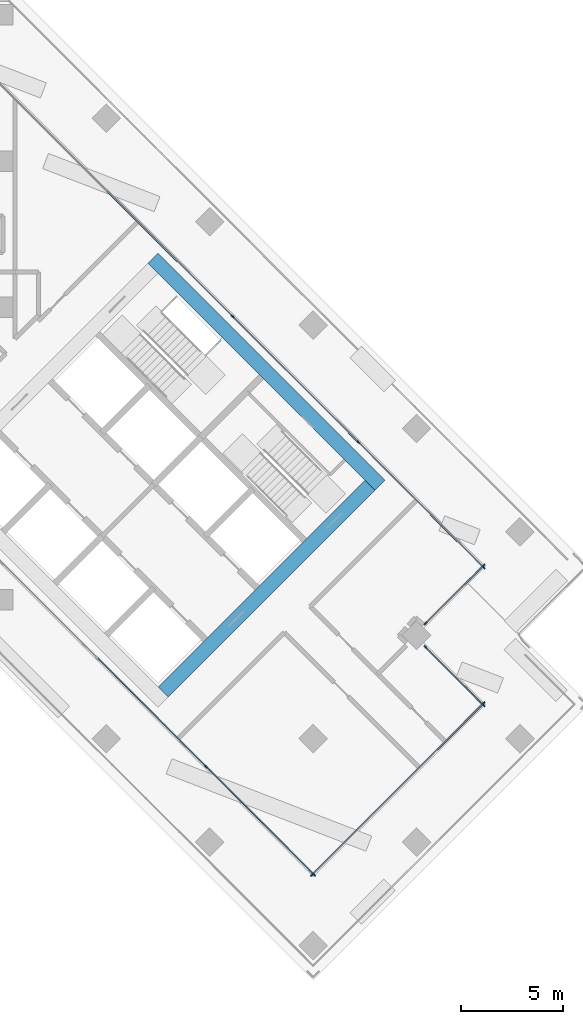
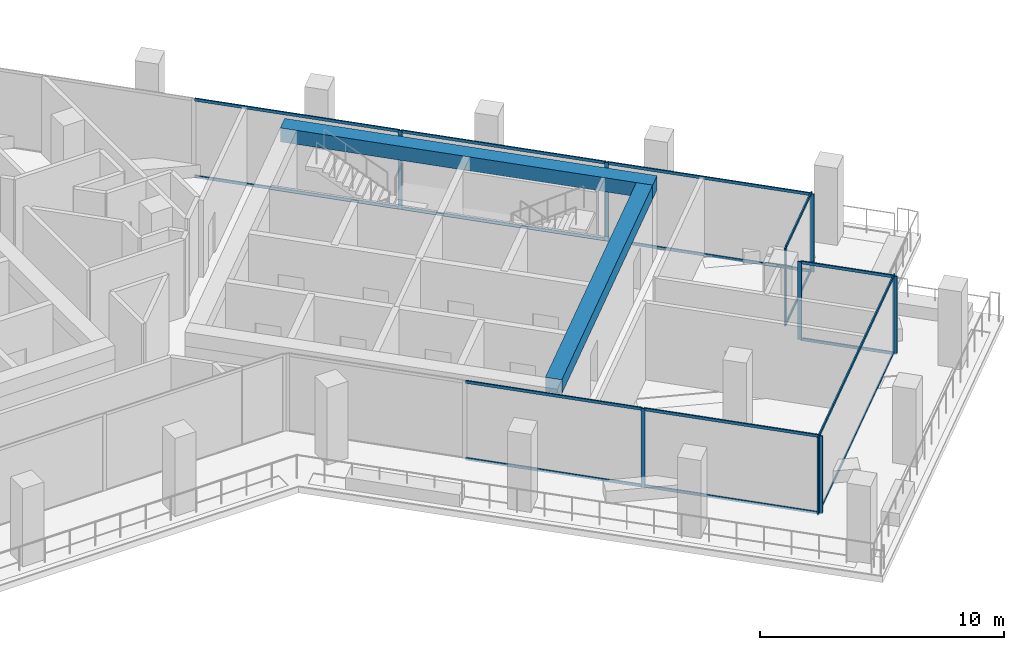
# One storey, part 8 of 21: 27 members, 2 beams, 5 elements without a shape of their own.
"""IFC4 building model written with IfcOpenShell, lengths in metres."""

from ifc_helpers import new_model, si_unit, direction, frame, origin, origin_2d, place, context, subcontext, project, spatial, rectangle, extrude, material, material_profile, profile_set, type_object, element, aggregate, save


model = new_model("IFC4")

# Units and contexts
model_context = context("Model", 3, precision=1e-05, world=origin(), true_north=direction((0.0, 1.0)))
body_context = subcontext(model_context, "Body", "Model", "MODEL_VIEW")
ifc_project = project(units=[si_unit("LENGTHUNIT", "METRE"), si_unit("AREAUNIT", "SQUARE_METRE"), si_unit("VOLUMEUNIT", "CUBIC_METRE"), si_unit("PLANEANGLEUNIT", "RADIAN"), si_unit("MASSUNIT", "GRAM", prefix="KILO")], contexts=[model_context])

# Site, building, storey
site_placement = place(None, origin())
site = spatial("IfcSite", under=ifc_project, at=site_placement, CompositionType="ELEMENT")
building_placement = place(site_placement, origin())
building = spatial("IfcBuilding", under=site, at=building_placement, Name="Windrow Commons", CompositionType="ELEMENT")
storey_placement = place(building_placement, frame((0.0, 0.0, 131.2)))
storey = spatial("IfcBuildingStorey", under=building, at=storey_placement, Name="L35", CompositionType="ELEMENT", Elevation=131.2)

# Curtain wall, members
ifc_material_1 = material(Name="Clear laminated glass in Aluminium 6063-T6 anodised frame", Category="aluminium")
curtain_wall_type = type_object("IfcCurtainWallType", Name="Curtain wall CW2M sky lounge mid", PredefinedType="USERDEFINED", material=ifc_material_1)
placement = place(storey_placement, origin())
curtain_wall_1 = element("IfcCurtainWall", 1, at=placement, inside=storey, type_object=curtain_wall_type, Name="Curtain wall CW2M L35 1", ObjectType="UNITISED", PredefinedType="USERDEFINED")
ifc_material_2 = material(Name="Aluminium 6063-T6", Category="aluminium")
ifc_material_profile_1 = material_profile(ifc_material_2, rectangle(XDim=0.06, YDim=0.18, at=origin_2d()))
ifc_profile_set_1 = profile_set([ifc_material_profile_1], Name="Aluminium 6063-T6")
member_type_1 = type_object("IfcMemberType", Name="CW2M mullion 60x180", PredefinedType="MULLION", material=ifc_profile_set_1)
member_1_placement = place(storey_placement, frame((102.8669, 38.0094, 0.0), z_axis=(0.0, 0.0, 1.0), x_axis=(-0.7071067812, -0.7071067812, 0.0)))
member_1 = element("IfcMember", 2, at=member_1_placement, type_object=member_type_1, Name="CW2M mullion 1", PredefinedType="MULLION", context=body_context, shape_type="SweptSolid", body=[
    extrude(rectangle(XDim=0.06, YDim=0.18, at=origin_2d()), origin(), (0.0, 0.0, 1.0), 3.9),
])
member_2_placement = place(storey_placement, frame((100.0095, 40.8667, 0.0), z_axis=(0.0, 0.0, 1.0), x_axis=(-0.7071067812, -0.7071067812, 0.0)))
member_2 = element("IfcMember", 3, at=member_2_placement, type_object=member_type_1, Name="CW2M mullion 2", PredefinedType="MULLION", context=body_context, shape_type="SweptSolid", body=[
    extrude(rectangle(XDim=0.06, YDim=0.18, at=origin_2d()), origin(), (0.0, 0.0, 1.0), 3.9),
])

curtain_wall_2 = element("IfcCurtainWall", 4, at=placement, inside=storey, type_object=curtain_wall_type, Name="Curtain wall CW2M L35 2", ObjectType="UNITISED", PredefinedType="USERDEFINED")
member_3_placement = place(storey_placement, frame((100.0095, 42.0393, 0.0), z_axis=(0.0, 0.0, 1.0), x_axis=(-0.7071067812, 0.7071067812, 0.0)))
member_3 = element("IfcMember", 5, at=member_3_placement, type_object=member_type_1, Name="CW2M mullion 1", PredefinedType="MULLION", context=body_context, shape_type="SweptSolid", body=[
    extrude(rectangle(XDim=0.06, YDim=0.18, at=origin_2d()), origin(), (0.0, 0.0, 1.0), 3.9),
])
member_4_placement = place(storey_placement, frame((102.8669, 44.8966, 0.0), z_axis=(0.0, 0.0, 1.0), x_axis=(-0.7071067812, 0.7071067812, 0.0)))
member_4 = element("IfcMember", 6, at=member_4_placement, type_object=member_type_1, Name="CW2M mullion 2", PredefinedType="MULLION", context=body_context, shape_type="SweptSolid", body=[
    extrude(rectangle(XDim=0.06, YDim=0.18, at=origin_2d()), origin(), (0.0, 0.0, 1.0), 3.9),
])

curtain_wall_3 = element("IfcCurtainWall", 7, at=placement, inside=storey, type_object=curtain_wall_type, Name="Curtain wall CW2M L35 3", ObjectType="UNITISED", PredefinedType="USERDEFINED")
member_5_placement = place(storey_placement, frame((102.8669, 44.7976, 0.0), z_axis=(0.0, 0.0, 1.0), x_axis=(-0.7071067812, -0.7071067812, 0.0)))
member_5 = element("IfcMember", 8, at=member_5_placement, type_object=member_type_1, Name="CW2M mullion 1", PredefinedType="MULLION", context=body_context, shape_type="SweptSolid", body=[
    extrude(rectangle(XDim=0.06, YDim=0.18, at=origin_2d()), origin(), (0.0, 0.0, 1.0), 3.9),
])
member_6_placement = place(storey_placement, frame((96.6999, 50.9646, 0.0), z_axis=(0.0, 0.0, 1.0), x_axis=(-0.7071067812, -0.7071067812, 0.0)))
member_6 = element("IfcMember", 9, at=member_6_placement, type_object=member_type_1, Name="CW2M mullion 2", PredefinedType="MULLION", context=body_context, shape_type="SweptSolid", body=[
    extrude(rectangle(XDim=0.06, YDim=0.18, at=origin_2d()), origin(), (0.0, 0.0, 1.0), 3.9),
])
member_7_placement = place(storey_placement, frame((90.5116, 57.1528, 0.0), z_axis=(0.0, 0.0, 1.0), x_axis=(-0.7071067812, -0.7071067812, 0.0)))
member_7 = element("IfcMember", 10, at=member_7_placement, type_object=member_type_1, Name="CW2M mullion 3", PredefinedType="MULLION", context=body_context, shape_type="SweptSolid", body=[
    extrude(rectangle(XDim=0.06, YDim=0.18, at=origin_2d()), origin(), (0.0, 0.0, 1.0), 3.9),
])

curtain_wall_4 = element("IfcCurtainWall", 11, at=placement, inside=storey, type_object=curtain_wall_type, Name="Curtain wall CW2M L35 13", ObjectType="UNITISED", PredefinedType="USERDEFINED")
member_8_placement = place(storey_placement, frame((89.2021, 34.9864, 0.0), z_axis=(0.0, 0.0, 1.0), x_axis=(0.7071067812, 0.7071067812, 0.0)))
member_8 = element("IfcMember", 12, at=member_8_placement, type_object=member_type_1, Name="CW2M mullion 3", PredefinedType="MULLION", context=body_context, shape_type="SweptSolid", body=[
    extrude(rectangle(XDim=0.06, YDim=0.18, at=origin_2d()), origin(), (0.0, 0.0, 1.0), 3.9),
])
member_9_placement = place(storey_placement, frame((94.523, 29.6655, 0.0), z_axis=(0.0, 0.0, 1.0), x_axis=(0.7071067812, 0.7071067812, 0.0)))
member_9 = element("IfcMember", 13, at=member_9_placement, type_object=member_type_1, Name="CW2M mullion 4", PredefinedType="MULLION", context=body_context, shape_type="SweptSolid", body=[
    extrude(rectangle(XDim=0.06, YDim=0.18, at=origin_2d()), origin(), (0.0, 0.0, 1.0), 3.9),
])

curtain_wall_5 = element("IfcCurtainWall", 14, at=placement, inside=storey, type_object=curtain_wall_type, Name="Curtain wall CW2M L35 14", ObjectType="UNITISED", PredefinedType="USERDEFINED")
member_10_placement = place(storey_placement, frame((94.424, 29.6655, 0.0), z_axis=(0.0, 0.0, 1.0), x_axis=(-0.7071067812, 0.7071067812, 0.0)))
member_10 = element("IfcMember", 15, at=member_10_placement, type_object=member_type_1, Name="CW2M mullion 1", PredefinedType="MULLION", context=body_context, shape_type="SweptSolid", body=[
    extrude(rectangle(XDim=0.06, YDim=0.18, at=origin_2d()), origin(), (0.0, 0.0, 1.0), 3.9),
])
member_11_placement = place(storey_placement, frame((102.8669, 38.1084, 0.0), z_axis=(0.0, 0.0, 1.0), x_axis=(-0.7071067812, 0.7071067812, 0.0)))
member_11 = element("IfcMember", 16, at=member_11_placement, type_object=member_type_1, Name="CW2M mullion 2", PredefinedType="MULLION", context=body_context, shape_type="SweptSolid", body=[
    extrude(rectangle(XDim=0.06, YDim=0.18, at=origin_2d()), origin(), (0.0, 0.0, 1.0), 3.9),
])

# Member
ifc_material_3 = material(Name="Aluminium 6063-T6", Category="aluminium")
ifc_material_profile_2 = material_profile(ifc_material_3, rectangle(XDim=0.06, YDim=0.14, at=origin_2d()))
ifc_profile_set_2 = profile_set([ifc_material_profile_2], Name="Aluminium 6063-T6")
member_type_2 = type_object("IfcMemberType", Name="CW2M transom 60x140", PredefinedType="USERDEFINED", material=ifc_profile_set_2)
member_12_placement = place(storey_placement, frame((102.8457, 38.0306, 0.03), z_axis=(-0.7071067812, 0.7071067812, 0.0), x_axis=(-0.7071067812, -0.7071067812, 0.0)))
member_12 = element("IfcMember", 17, at=member_12_placement, type_object=member_type_2, Name="CW2M transom 1.1", ObjectType="TRANSOM", PredefinedType="USERDEFINED", context=body_context, shape_type="SweptSolid", body=[
    extrude(rectangle(XDim=0.06, YDim=0.14, at=origin_2d()), origin(), (0.0, 0.0, 1.0), 3.9809),
])

member_13_placement = place(storey_placement, frame((102.8457, 38.0306, 3.87), z_axis=(-0.7071067812, 0.7071067812, 0.0), x_axis=(-0.7071067812, -0.7071067812, 0.0)))
member_13 = element("IfcMember", 18, at=member_13_placement, type_object=member_type_2, Name="CW2M transom 1.2", ObjectType="TRANSOM", PredefinedType="USERDEFINED", context=body_context, shape_type="SweptSolid", body=[
    extrude(rectangle(XDim=0.06, YDim=0.14, at=origin_2d()), origin(), (0.0, 0.0, 1.0), 3.9809),
])

aggregate(curtain_wall_1, [member_1, member_2, member_12, member_13])

member_14_placement = place(storey_placement, frame((100.0308, 42.0605, 0.03), z_axis=(0.7071067812, 0.7071067812, 0.0), x_axis=(-0.7071067812, 0.7071067812, 0.0)))
member_14 = element("IfcMember", 19, at=member_14_placement, type_object=member_type_2, Name="CW2M transom 1.1", ObjectType="TRANSOM", PredefinedType="USERDEFINED", context=body_context, shape_type="SweptSolid", body=[
    extrude(rectangle(XDim=0.06, YDim=0.14, at=origin_2d()), origin(), (0.0, 0.0, 1.0), 3.9809),
])

member_15_placement = place(storey_placement, frame((100.0308, 42.0605, 3.87), z_axis=(0.7071067812, 0.7071067812, 0.0), x_axis=(-0.7071067812, 0.7071067812, 0.0)))
member_15 = element("IfcMember", 20, at=member_15_placement, type_object=member_type_2, Name="CW2M transom 1.2", ObjectType="TRANSOM", PredefinedType="USERDEFINED", context=body_context, shape_type="SweptSolid", body=[
    extrude(rectangle(XDim=0.06, YDim=0.14, at=origin_2d()), origin(), (0.0, 0.0, 1.0), 3.9809),
])

aggregate(curtain_wall_2, [member_3, member_4, member_14, member_15])

member_16_placement = place(storey_placement, frame((102.8457, 44.8188, 0.03), z_axis=(-0.7071067812, 0.7071067812, 0.0), x_axis=(-0.7071067812, -0.7071067812, 0.0)))
member_16 = element("IfcMember", 21, at=member_16_placement, type_object=member_type_2, Name="CW2M transom 1.1", ObjectType="TRANSOM", PredefinedType="USERDEFINED", context=body_context, shape_type="SweptSolid", body=[
    extrude(rectangle(XDim=0.06, YDim=0.14, at=origin_2d()), origin(), (0.0, 0.0, 1.0), 8.6615),
])

member_17_placement = place(storey_placement, frame((102.8457, 44.8188, 3.87), z_axis=(-0.7071067812, 0.7071067812, 0.0), x_axis=(-0.7071067812, -0.7071067812, 0.0)))
member_17 = element("IfcMember", 22, at=member_17_placement, type_object=member_type_2, Name="CW2M transom 1.2", ObjectType="TRANSOM", PredefinedType="USERDEFINED", context=body_context, shape_type="SweptSolid", body=[
    extrude(rectangle(XDim=0.06, YDim=0.14, at=origin_2d()), origin(), (0.0, 0.0, 1.0), 8.6615),
])

member_18_placement = place(storey_placement, frame((96.6787, 50.9858, 0.03), z_axis=(-0.7071067812, 0.7071067812, 0.0), x_axis=(-0.7071067812, -0.7071067812, 0.0)))
member_18 = element("IfcMember", 23, at=member_18_placement, type_object=member_type_2, Name="CW2M transom 2.1", ObjectType="TRANSOM", PredefinedType="USERDEFINED", context=body_context, shape_type="SweptSolid", body=[
    extrude(rectangle(XDim=0.06, YDim=0.14, at=origin_2d()), origin(), (0.0, 0.0, 1.0), 8.6915),
])

member_19_placement = place(storey_placement, frame((96.6787, 50.9858, 3.87), z_axis=(-0.7071067812, 0.7071067812, 0.0), x_axis=(-0.7071067812, -0.7071067812, 0.0)))
member_19 = element("IfcMember", 24, at=member_19_placement, type_object=member_type_2, Name="CW2M transom 2.2", ObjectType="TRANSOM", PredefinedType="USERDEFINED", context=body_context, shape_type="SweptSolid", body=[
    extrude(rectangle(XDim=0.06, YDim=0.14, at=origin_2d()), origin(), (0.0, 0.0, 1.0), 8.6915),
])

member_20_placement = place(storey_placement, frame((90.4904, 57.1741, 0.03), z_axis=(-0.7071067812, 0.7071067812, 0.0), x_axis=(-0.7071067812, -0.7071067812, 0.0)))
member_20 = element("IfcMember", 25, at=member_20_placement, type_object=member_type_2, Name="CW2M transom 3.1", ObjectType="TRANSOM", PredefinedType="USERDEFINED", context=body_context, shape_type="SweptSolid", body=[
    extrude(rectangle(XDim=0.06, YDim=0.14, at=origin_2d()), origin(), (0.0, 0.0, 1.0), 8.6915),
])

member_21_placement = place(storey_placement, frame((90.4904, 57.1741, 3.87), z_axis=(-0.7071067812, 0.7071067812, 0.0), x_axis=(-0.7071067812, -0.7071067812, 0.0)))
member_21 = element("IfcMember", 26, at=member_21_placement, type_object=member_type_2, Name="CW2M transom 3.2", ObjectType="TRANSOM", PredefinedType="USERDEFINED", context=body_context, shape_type="SweptSolid", body=[
    extrude(rectangle(XDim=0.06, YDim=0.14, at=origin_2d()), origin(), (0.0, 0.0, 1.0), 8.6915),
])

aggregate(curtain_wall_3, [member_5, member_6, member_7, member_16, member_17, member_18, member_19, member_20, member_21])

member_22_placement = place(storey_placement, frame((83.8812, 40.3074, 0.03), z_axis=(0.7071067812, -0.7071067812, 0.0), x_axis=(0.7071067812, 0.7071067812, 0.0)))
member_22 = element("IfcMember", 27, at=member_22_placement, type_object=member_type_2, Name="CW2M transom 2.1", ObjectType="TRANSOM", PredefinedType="USERDEFINED", context=body_context, shape_type="SweptSolid", body=[
    extrude(rectangle(XDim=0.06, YDim=0.14, at=origin_2d()), origin(), (0.0, 0.0, 1.0), 7.4949),
])

member_23_placement = place(storey_placement, frame((83.8812, 40.3074, 3.87), z_axis=(0.7071067812, -0.7071067812, 0.0), x_axis=(0.7071067812, 0.7071067812, 0.0)))
member_23 = element("IfcMember", 28, at=member_23_placement, type_object=member_type_2, Name="CW2M transom 2.2", ObjectType="TRANSOM", PredefinedType="USERDEFINED", context=body_context, shape_type="SweptSolid", body=[
    extrude(rectangle(XDim=0.06, YDim=0.14, at=origin_2d()), origin(), (0.0, 0.0, 1.0), 7.4949),
])

member_24_placement = place(storey_placement, frame((89.2233, 34.9652, 0.03), z_axis=(0.7071067812, -0.7071067812, 0.0), x_axis=(0.7071067812, 0.7071067812, 0.0)))
member_24 = element("IfcMember", 29, at=member_24_placement, type_object=member_type_2, Name="CW2M transom 3.1", ObjectType="TRANSOM", PredefinedType="USERDEFINED", context=body_context, shape_type="SweptSolid", body=[
    extrude(rectangle(XDim=0.06, YDim=0.14, at=origin_2d()), origin(), (0.0, 0.0, 1.0), 7.4649),
])

member_25_placement = place(storey_placement, frame((89.2233, 34.9652, 3.87), z_axis=(0.7071067812, -0.7071067812, 0.0), x_axis=(0.7071067812, 0.7071067812, 0.0)))
member_25 = element("IfcMember", 30, at=member_25_placement, type_object=member_type_2, Name="CW2M transom 3.2", ObjectType="TRANSOM", PredefinedType="USERDEFINED", context=body_context, shape_type="SweptSolid", body=[
    extrude(rectangle(XDim=0.06, YDim=0.14, at=origin_2d()), origin(), (0.0, 0.0, 1.0), 7.4649),
])

aggregate(curtain_wall_4, [member_8, member_9, member_22, member_23, member_24, member_25])

member_26_placement = place(storey_placement, frame((94.4452, 29.6867, 0.03), z_axis=(0.7071067812, 0.7071067812, 0.0), x_axis=(-0.7071067812, 0.7071067812, 0.0)))
member_26 = element("IfcMember", 31, at=member_26_placement, type_object=member_type_2, Name="CW2M transom 1.1", ObjectType="TRANSOM", PredefinedType="USERDEFINED", context=body_context, shape_type="SweptSolid", body=[
    extrude(rectangle(XDim=0.06, YDim=0.14, at=origin_2d()), origin(), (0.0, 0.0, 1.0), 11.8801),
])

member_27_placement = place(storey_placement, frame((94.4452, 29.6867, 3.87), z_axis=(0.7071067812, 0.7071067812, 0.0), x_axis=(-0.7071067812, 0.7071067812, 0.0)))
member_27 = element("IfcMember", 32, at=member_27_placement, type_object=member_type_2, Name="CW2M transom 1.2", ObjectType="TRANSOM", PredefinedType="USERDEFINED", context=body_context, shape_type="SweptSolid", body=[
    extrude(rectangle(XDim=0.06, YDim=0.14, at=origin_2d()), origin(), (0.0, 0.0, 1.0), 11.8801),
])

aggregate(curtain_wall_5, [member_10, member_11, member_26, member_27])

# Beams
ifc_material_4 = material(Name="Concrete C50/60", Category="concrete")
ifc_material_profile_3 = material_profile(ifc_material_4, rectangle(XDim=0.7, YDim=0.7, at=origin_2d()))
ifc_profile_set_3 = profile_set([ifc_material_profile_3], Name="Concrete C50/60")
beam_type = type_object("IfcBeamType", Name="RC COUPLING BEAM 700x700 C50/60", PredefinedType="LINTEL", material=ifc_profile_set_3)
beam_1_placement = place(storey_placement, frame((86.5893, 60.0145, 3.55), z_axis=(0.7071099457, -0.7071036166, 0.0), x_axis=(0.7071036166, 0.7071099457, 0.0)))
element("IfcBeam", 33, at=beam_1_placement, inside=storey, type_object=beam_type, Name="Core B coupling beam outer-N", PredefinedType="LINTEL", context=body_context, shape_type="SweptSolid", body=[
    extrude(rectangle(XDim=0.7, YDim=0.7, at=origin_2d()), origin(), (0.0, 0.0, 1.0), 15.7999),
])
beam_2_placement = place(storey_placement, frame((87.0842, 38.6599, 3.55), z_axis=(0.7071067812, 0.7071067812, 0.0), x_axis=(-0.7071067812, 0.7071067812, 0.0)))
element("IfcBeam", 34, at=beam_2_placement, inside=storey, type_object=beam_type, Name="Core B coupling beam outer-E", PredefinedType="LINTEL", context=body_context, shape_type="SweptSolid", body=[
    extrude(rectangle(XDim=0.7, YDim=0.7, at=origin_2d()), origin(), (0.0, 0.0, 1.0), 14.4001),
])

save(model, "model.ifc")
